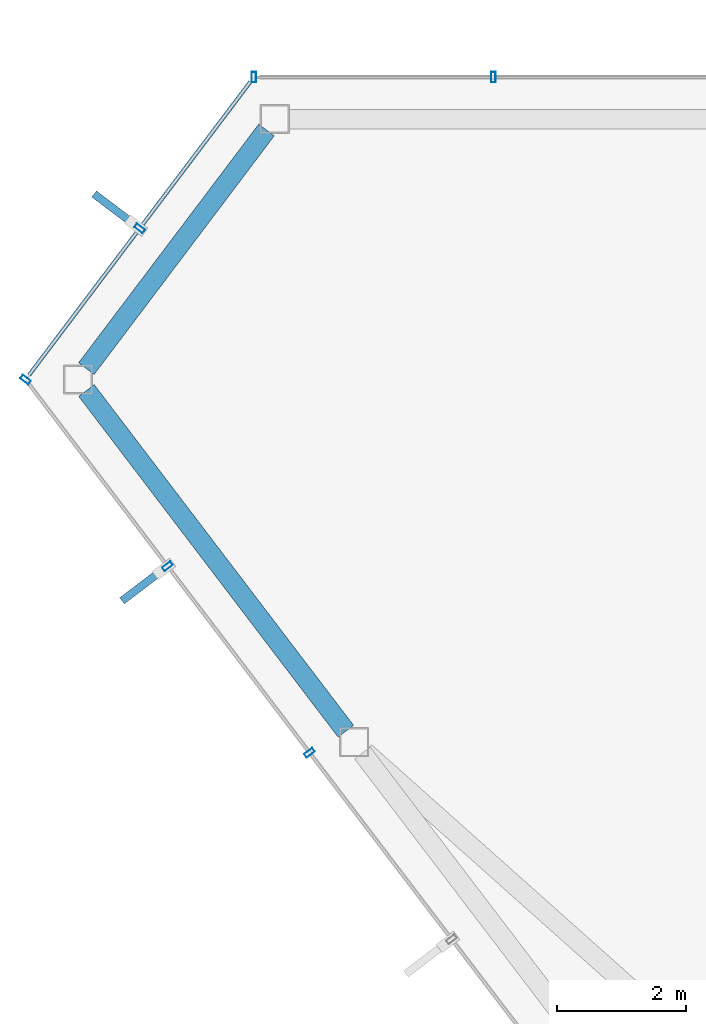
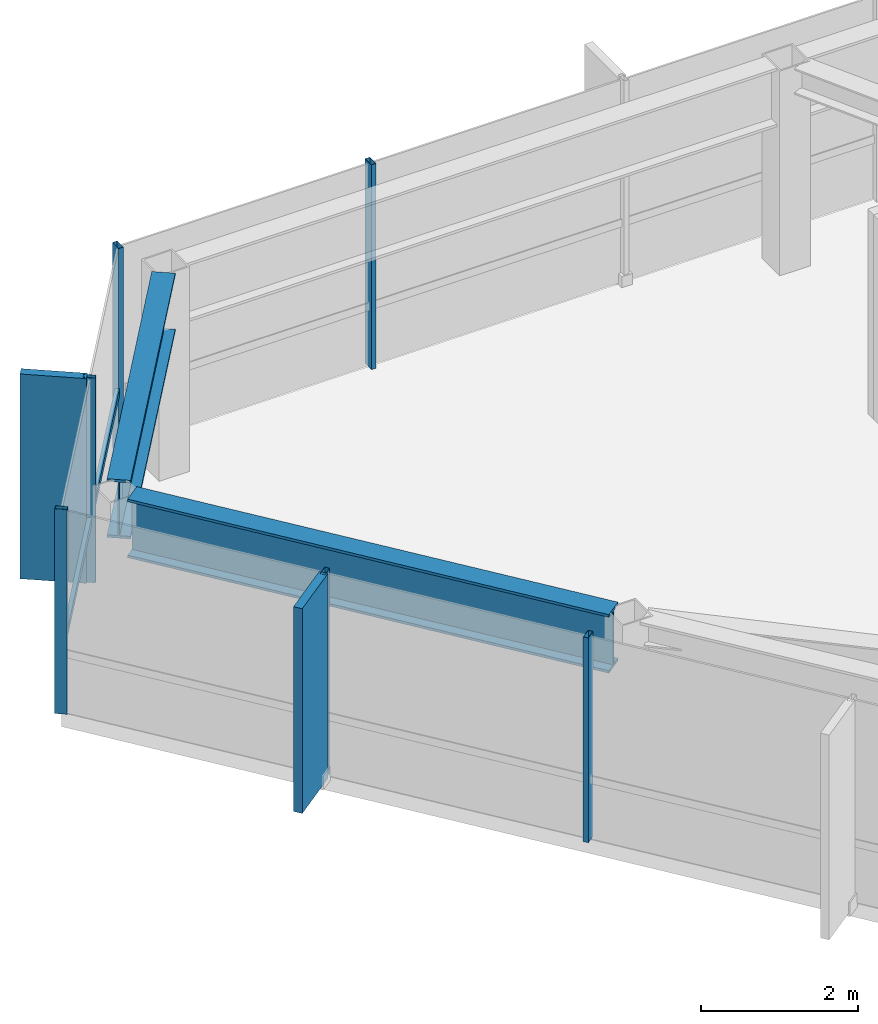
# One storey, part 10 of 23: 9 members, 2 beams, 3 elements without a shape of their own.
"""IFC4 building model written with IfcOpenShell, lengths in metres."""

import ifcopenshell
import ifcopenshell.guid

model = None  # the IFC model being written
_history = None  # IfcOwnerHistory: only IFC2X3 demands one
_inside = {}  # id of a spatial element -> (the spatial element, [elements in it])
_under = {}  # id of a project, library or spatial element -> (it, [spatial elements below it])
_declared = {}  # id of a project -> (the project, [libraries it declares])
_typed = {}  # id of a type object -> (the type object, [elements of that type])
_made_of = {}  # id of a material, layer set ... -> (it, [elements and type objects made of it])


def new_model(schema):
    """Start an empty IFC model of exactly this schema.

    Asked for "IFC4X3", IfcOpenShell would pick the latest addendum, in which some entities
    have other attributes; the version numbers below select the first issue.
    IFC2X3 requires an IfcOwnerHistory on every rooted entity: one is made here for all.
    """
    global model, _history
    if schema == "IFC4X3":
        model = ifcopenshell.file(schema_version=(4, 3, 0, 0))
    else:
        model = ifcopenshell.file(schema=schema)
    _inside.clear()
    _under.clear()
    _declared.clear()
    _typed.clear()
    _made_of.clear()
    _history = None
    if model.schema == "IFC2X3":
        org = make("IfcOrganization", Name="unknown")
        user = make(
            "IfcPersonAndOrganization",
            ThePerson=make("IfcPerson", FamilyName="unknown"),
            TheOrganization=org,
        )
        app = make(
            "IfcApplication",
            ApplicationDeveloper=org,
            Version="unknown",
            ApplicationFullName="unknown",
            ApplicationIdentifier="unknown",
        )
        _history = make(
            "IfcOwnerHistory",
            OwningUser=user,
            OwningApplication=app,
            ChangeAction="ADDED",
            CreationDate=0,
        )
    return model


def make(cls, **values):
    """One entity of the class cls with the attributes given. An attribute that is None is left unset."""
    return model.create_entity(
        cls, **{name: value for name, value in values.items() if value is not None}
    )


def rooted(cls, **values):
    """An entity with a GlobalId (a new one), such as an element, a storey or a relation."""
    return make(cls, GlobalId=ifcopenshell.guid.new(), OwnerHistory=_history, **values)


def si_unit(unit_type, name, prefix=None):
    """IfcSIUnit, for example si_unit("LENGTHUNIT", "METRE", prefix="MILLI")."""
    return make("IfcSIUnit", UnitType=unit_type, Prefix=prefix, Name=name)


def assignment(units):
    """IfcUnitAssignment: the units of a project."""
    return None if units is None else make("IfcUnitAssignment", Units=units)


def point(xyz):
    """IfcCartesianPoint."""
    return None if xyz is None else make("IfcCartesianPoint", Coordinates=xyz)


def direction(xyz):
    """IfcDirection."""
    return None if xyz is None else make("IfcDirection", DirectionRatios=xyz)


def frame(location, z_axis=None, x_axis=None):
    """IfcAxis2Placement3D, a coordinate frame: its origin and axes. An axis left out is left unset."""
    return make(
        "IfcAxis2Placement3D",
        Location=point(location),
        Axis=direction(z_axis),
        RefDirection=direction(x_axis),
    )


def frame_2d(location, x_axis=None):
    """IfcAxis2Placement2D, a coordinate frame in the plane: its origin and x axis."""
    return make(
        "IfcAxis2Placement2D", Location=point(location), RefDirection=direction(x_axis)
    )


def origin():
    """The frame at (0, 0, 0) with its axes left unset."""
    return frame((0.0, 0.0, 0.0))


def origin_2d():
    """The frame at (0, 0) in the plane with its x axis left unset."""
    return frame_2d((0.0, 0.0))


def place(relative_to, where):
    """IfcLocalPlacement: puts the frame where relative to a parent placement (None: the world)."""
    return make(
        "IfcLocalPlacement", PlacementRelTo=relative_to, RelativePlacement=where
    )


def context(
    kind, dimensions, precision=None, world=None, true_north=None, identifier=None
):
    """IfcGeometricRepresentationContext, for example the 3D "Model" context."""
    return make(
        "IfcGeometricRepresentationContext",
        ContextIdentifier=identifier,
        ContextType=kind,
        CoordinateSpaceDimension=dimensions,
        Precision=precision,
        WorldCoordinateSystem=world,
        TrueNorth=true_north,
    )


def subcontext(parent, identifier, kind, view, scale=None):
    """IfcGeometricRepresentationSubContext, for example "Body" below "Model"."""
    return make(
        "IfcGeometricRepresentationSubContext",
        ContextIdentifier=identifier,
        ContextType=kind,
        ParentContext=parent,
        TargetScale=scale,
        TargetView=view,
    )


def project(units=None, contexts=None):
    """IfcProject with its units and contexts."""
    return rooted(
        "IfcProject",
        Name="project",
        RepresentationContexts=contexts,
        UnitsInContext=assignment(units),
    )


def spatial(cls, under=None, at=None, **own):
    """A site, building, storey or space (cls), placed at a placement, below another one or the project."""
    s = rooted(cls, ObjectPlacement=at, **own)
    if under is not None:
        _under.setdefault(under.id(), (under, []))[1].append(s)
    return s


def profile(cls, at=None, kind="AREA", **sizes):
    """A parametric profile (cls). Its sizes go by their IFC names, for example OverallWidth=200.0."""
    return make(cls, ProfileType=kind, Position=at, **sizes)


def rectangle(**sizes):
    """IfcRectangleProfileDef."""
    return profile("IfcRectangleProfileDef", **sizes)


def hollow_rectangle(**sizes):
    """IfcRectangleHollowProfileDef."""
    return profile("IfcRectangleHollowProfileDef", **sizes)


def i_section(**sizes):
    """IfcIShapeProfileDef."""
    return profile("IfcIShapeProfileDef", **sizes)


def extrude(swept, where, along, depth):
    """IfcExtrudedAreaSolid: the profile swept, set in the frame where, extruded along a direction by depth."""
    return make(
        "IfcExtrudedAreaSolid",
        SweptArea=swept,
        Position=where,
        ExtrudedDirection=direction(along),
        Depth=depth,
    )


def shape(context_of_items, identifier, shape_type, items):
    """IfcShapeRepresentation: the items that make up one representation, for example the "Body"."""
    return make(
        "IfcShapeRepresentation",
        ContextOfItems=context_of_items,
        RepresentationIdentifier=identifier,
        RepresentationType=shape_type,
        Items=items,
    )


def material(Name=None, Category=None):
    """IfcMaterial."""
    return make("IfcMaterial", Name=Name, Category=Category)


def layer(
    of_material, thickness, ventilated=None, Name=None, Category=None, Priority=None
):
    """IfcMaterialLayer: one layer of a wall or slab, of a material (None: an air gap)."""
    return make(
        "IfcMaterialLayer",
        Material=of_material,
        LayerThickness=thickness,
        IsVentilated=ventilated,
        Name=Name,
        Category=Category,
        Priority=Priority,
    )


def layer_set(layers, Name=None):
    """IfcMaterialLayerSet."""
    return make("IfcMaterialLayerSet", MaterialLayers=layers, LayerSetName=Name)


def material_profile(
    of_material, cross_section, Name=None, Category=None, Priority=None
):
    """IfcMaterialProfile: a cross section and its material."""
    return make(
        "IfcMaterialProfile",
        Name=Name,
        Material=of_material,
        Profile=cross_section,
        Priority=Priority,
        Category=Category,
    )


def profile_set(profiles, Name=None, composite=None):
    """IfcMaterialProfileSet."""
    return make(
        "IfcMaterialProfileSet",
        Name=Name,
        MaterialProfiles=profiles,
        CompositeProfile=composite,
    )


def made_of(thing, what):
    """Note that an element or type object is made of a material, layer set ...; save() writes the relation."""
    if what is not None:
        _made_of.setdefault(what.id(), (what, []))[1].append(thing)
    return thing


def type_object(cls, material=None, **own):
    """A type object (cls), such as IfcWallType, which elements share."""
    return made_of(rooted(cls, **own), material)


def element(
    cls,
    number,
    at=None,
    inside=None,
    cuts=None,
    type_object=None,
    material=None,
    context=None,
    identifier="Body",
    shape_type=None,
    held_by="IfcProductDefinitionShape",
    body=None,
    shapes=None,
    **own,
):
    """One element of the class cls, such as IfcWall. Its Tag is "e" and its number.

    at: its placement. inside: the storey or other place that contains it. cuts: it is an
    opening in that element (IfcRelVoidsElement). A single representation is given by context,
    identifier, shape_type and body (its items); several are given by shapes. held_by: the class
    of the entity that holds the representations. save() writes the other relations.
    """
    e = rooted(cls, Tag="e%d" % number, ObjectPlacement=at, **own)
    if body is not None:
        shapes = [shape(context, identifier, shape_type, body)]
    if shapes is not None:
        e.Representation = make(held_by, Representations=shapes)
    if inside is not None:
        _inside.setdefault(inside.id(), (inside, []))[1].append(e)
    if cuts is not None:
        rooted(
            "IfcRelVoidsElement", RelatingBuildingElement=cuts, RelatedOpeningElement=e
        )
    if type_object is not None:
        _typed.setdefault(type_object.id(), (type_object, []))[1].append(e)
    return made_of(e, material)


def aggregate(whole, parts):
    """IfcRelAggregates: a whole, such as a stair, and the parts it consists of."""
    return rooted("IfcRelAggregates", RelatingObject=whole, RelatedObjects=parts)


def save(model, path):
    """Write the relations noted so far, then the file.

    IfcRelAggregates (storeys below a building ...), IfcRelContainedInSpatialStructure (elements
    in a storey), IfcRelDefinesByType, IfcRelAssociatesMaterial and IfcRelDeclares: one each for
    every whole, place, type object, material and project.
    """
    for whole, parts in _under.values():
        aggregate(whole, parts)
    for where, things in _inside.values():
        rooted(
            "IfcRelContainedInSpatialStructure",
            RelatedElements=things,
            RelatingStructure=where,
        )
    for kind, things in _typed.values():
        rooted("IfcRelDefinesByType", RelatedObjects=things, RelatingType=kind)
    for what, things in _made_of.values():
        rooted("IfcRelAssociatesMaterial", RelatedObjects=things, RelatingMaterial=what)
    for by, libraries in _declared.values():
        rooted("IfcRelDeclares", RelatingContext=by, RelatedDefinitions=libraries)
    model.write(path)


model = new_model("IFC4")

# Units and contexts
model_context = context("Model", 3, precision=1e-05, world=origin(), true_north=direction((0.0, 1.0)))
body_context = subcontext(model_context, "Body", "Model", "MODEL_VIEW")
ifc_project = project(units=[si_unit("LENGTHUNIT", "METRE"), si_unit("AREAUNIT", "SQUARE_METRE"), si_unit("VOLUMEUNIT", "CUBIC_METRE"), si_unit("PLANEANGLEUNIT", "RADIAN"), si_unit("MASSUNIT", "GRAM", prefix="KILO")], contexts=[model_context])

# Site, building, storey
site_placement = place(None, origin())
site = spatial("IfcSite", under=ifc_project, at=site_placement, CompositionType="ELEMENT")
building_placement = place(site_placement, origin())
building = spatial("IfcBuilding", under=site, at=building_placement, Name="Zarrinselat Tower", CompositionType="ELEMENT")
storey_placement = place(building_placement, frame((0.0, 0.0, 282.199951171875)))
storey = spatial("IfcBuildingStorey", under=building, at=storey_placement, Name="L72", CompositionType="ELEMENT", Elevation=282.199951171875)

# Beams
ifc_material_1 = material(Name="Steel S460M", Category="steel")
ifc_material_profile_1 = material_profile(ifc_material_1, i_section(OverallWidth=0.302001953125, OverallDepth=0.909912109375, WebThickness=0.02099609375, FlangeThickness=0.0400390625, at=origin_2d()), Name="HEM 900")
ifc_profile_set_1 = profile_set([ifc_material_profile_1], Name="Steel S460M")
beam_type = type_object("IfcBeamType", Name="BM-HEM900", PredefinedType="BEAM", material=ifc_profile_set_1)
beam_1_placement = place(storey_placement, frame((17.24755859375, 43.11572265625, 2.72509765625), z_axis=(0.602467720264, 0.798143249073, 0.0), x_axis=(-0.798143249073, 0.602467720264, 0.0)))
element("IfcBeam", 1, at=beam_1_placement, inside=storey, type_object=beam_type, Name="L72 Perimeter Spandrel Girder SP05", PredefinedType="BEAM", context=body_context, shape_type="SweptSolid", body=[
    extrude(i_section(OverallWidth=0.302001953125, OverallDepth=0.909912109375, WebThickness=0.02099609375, FlangeThickness=0.0400390625, at=origin_2d()), origin(), (0.0, 0.0, 1.0), 4.632568359375),
])
beam_2_placement = place(storey_placement, frame((17.248291015625, 42.776123046875, 2.72509765625), z_axis=(0.605793795284, -0.795621692512, 0.0), x_axis=(0.795621692512, 0.605793795284, 0.0)))
element("IfcBeam", 2, at=beam_2_placement, inside=storey, type_object=beam_type, Name="L72 Perimeter Spandrel Girder SP06", PredefinedType="BEAM", context=body_context, shape_type="SweptSolid", body=[
    extrude(i_section(OverallWidth=0.302001953125, OverallDepth=0.909912109375, WebThickness=0.02099609375, FlangeThickness=0.0400390625, at=origin_2d()), origin(), (0.0, 0.0, 1.0), 6.636474609375),
])

# Curtain wall, members
ifc_material_2 = material(Name="Extruded Aluminium Alloy EN AW-6063 T6", Category="aluminium")
ifc_layer = layer(ifc_material_2, 0.169921875)
ifc_layer_set = layer_set([ifc_layer], Name="Extruded Aluminium Alloy EN AW-6063 T6")
curtain_wall_type = type_object("IfcCurtainWallType", Name="CWS-RES", PredefinedType="NOTDEFINED", material=ifc_layer_set)
curtain_wall_1_placement = place(storey_placement, origin())
curtain_wall_1 = element("IfcCurtainWall", 3, at=curtain_wall_1_placement, inside=storey, type_object=curtain_wall_type, Name="L72 Unitised Curtain Wall CW-L72-E01", PredefinedType="NOTDEFINED")
ifc_material_3 = material(Name="Extruded Aluminium Alloy EN AW-6063 T6", Category="aluminium")
ifc_material_profile_2 = material_profile(ifc_material_3, hollow_rectangle(XDim=0.070068359375, YDim=0.159912109375, WallThickness=0.00390625, at=origin_2d()), Name="RHS 160x70x4")
ifc_profile_set_2 = profile_set([ifc_material_profile_2], Name="Extruded Aluminium Alloy EN AW-6063 T6")
member_type_1 = type_object("IfcMemberType", Name="MEM-CW-MUL2", PredefinedType="MULLION", material=ifc_profile_set_2)
member_1_placement = place(storey_placement, frame((23.55419921875, 47.63330078125, 0.0), z_axis=(0.0, 0.0, 1.0), x_axis=(-1.0, 0.0, 0.0)))
member_1 = element("IfcMember", 4, at=member_1_placement, type_object=member_type_1, Name="CW-L72-E01 Mullion 12", PredefinedType="MULLION", context=body_context, shape_type="SweptSolid", body=[
    extrude(hollow_rectangle(XDim=0.070068359375, YDim=0.159912109375, WallThickness=0.00390625, at=origin_2d()), origin(), (0.0, 0.0, 1.0), 3.179931640625),
])
member_2_placement = place(storey_placement, frame((19.843017578125, 47.63330078125, 0.0), z_axis=(0.0, 0.0, 1.0), x_axis=(-1.0, 0.0, 0.0)))
member_2 = element("IfcMember", 5, at=member_2_placement, type_object=member_type_1, Name="CW-L72-E01 Mullion 13", PredefinedType="MULLION", context=body_context, shape_type="SweptSolid", body=[
    extrude(hollow_rectangle(XDim=0.070068359375, YDim=0.159912109375, WallThickness=0.00390625, at=origin_2d()), origin(), (0.0, 0.0, 1.0), 3.179931640625),
])
aggregate(curtain_wall_1, [member_1, member_2])

curtain_wall_2_placement = place(storey_placement, origin())
curtain_wall_2 = element("IfcCurtainWall", 6, at=curtain_wall_2_placement, inside=storey, type_object=curtain_wall_type, Name="L72 Unitised Curtain Wall CW-L72-E02", PredefinedType="NOTDEFINED")
member_3_placement = place(storey_placement, frame((18.0732421875, 45.288818359375, 0.0), z_axis=(0.0, 0.0, 1.0), x_axis=(-0.602440051683, -0.798164133577, 0.0)))
member_3 = element("IfcMember", 7, at=member_3_placement, type_object=member_type_1, Name="CW-L72-E02 Mullion 1", PredefinedType="MULLION", context=body_context, shape_type="SweptSolid", body=[
    extrude(hollow_rectangle(XDim=0.070068359375, YDim=0.159912109375, WallThickness=0.00390625, at=origin_2d()), origin(), (0.0, 0.0, 1.0), 3.179931640625),
])
member_4_placement = place(storey_placement, frame((16.3037109375, 42.944091796875, 0.0), z_axis=(0.0, 0.0, 1.0), x_axis=(-0.602440051683, -0.798164133577, 0.0)))
member_4 = element("IfcMember", 8, at=member_4_placement, type_object=member_type_1, Name="CW-L72-E02 Mullion 2", PredefinedType="MULLION", context=body_context, shape_type="SweptSolid", body=[
    extrude(hollow_rectangle(XDim=0.070068359375, YDim=0.159912109375, WallThickness=0.00390625, at=origin_2d()), origin(), (0.0, 0.0, 1.0), 3.179931640625),
])

curtain_wall_3_placement = place(storey_placement, origin())
curtain_wall_3 = element("IfcCurtainWall", 9, at=curtain_wall_3_placement, inside=storey, type_object=curtain_wall_type, Name="L72 Unitised Curtain Wall CW-L72-E03", PredefinedType="NOTDEFINED")
member_5_placement = place(storey_placement, frame((18.50439453125, 40.053466796875, 0.0), z_axis=(0.0, 0.0, 1.0), x_axis=(0.60576733126, -0.795641841772, 0.0)))
member_5 = element("IfcMember", 10, at=member_5_placement, type_object=member_type_1, Name="CW-L72-E03 Mullion 1", PredefinedType="MULLION", context=body_context, shape_type="SweptSolid", body=[
    extrude(hollow_rectangle(XDim=0.070068359375, YDim=0.159912109375, WallThickness=0.00390625, at=origin_2d()), origin(), (0.0, 0.0, 1.0), 3.179931640625),
])
member_6_placement = place(storey_placement, frame((20.705078125, 37.162841796875, 0.0), z_axis=(0.0, 0.0, 1.0), x_axis=(0.60576733126, -0.795641841772, 0.0)))
member_6 = element("IfcMember", 11, at=member_6_placement, type_object=member_type_1, Name="CW-L72-E03 Mullion 2", PredefinedType="MULLION", context=body_context, shape_type="SweptSolid", body=[
    extrude(hollow_rectangle(XDim=0.070068359375, YDim=0.159912109375, WallThickness=0.00390625, at=origin_2d()), origin(), (0.0, 0.0, 1.0), 3.179931640625),
])

# Member
ifc_material_4 = material(Name="Extruded Aluminium Alloy EN AW-6063 T6", Category="aluminium")
ifc_material_profile_3 = material_profile(ifc_material_4, hollow_rectangle(XDim=0.06005859375, YDim=0.1201171875, WallThickness=0.00390625, at=origin_2d()), Name="RHS 120x60x4")
ifc_profile_set_3 = profile_set([ifc_material_profile_3], Name="Extruded Aluminium Alloy EN AW-6063 T6")
member_type_2 = type_object("IfcMemberType", Name="MEM-CW-TRN2", PredefinedType="USERDEFINED", material=ifc_profile_set_3)
member_7_placement = place(storey_placement, frame((19.788818359375, 47.5615234375, 0.949951171875), z_axis=(-0.602432156167, -0.79817009291, 0.0), x_axis=(0.79817009291, -0.602432156167, 0.0)))
member_7 = element("IfcMember", 12, at=member_7_placement, type_object=member_type_2, Name="CW-L72-E02 Transom 1", ObjectType="TRANSOM", PredefinedType="USERDEFINED", context=body_context, shape_type="SweptSolid", body=[
    extrude(hollow_rectangle(XDim=0.06005859375, YDim=0.1201171875, WallThickness=0.00390625, at=origin_2d()), origin(), (0.0, 0.0, 1.0), 5.695068359375),
])

ifc_material_5 = material(Name="Honed Cream Travertine Stone", Category="masonry")
ifc_material_profile_4 = material_profile(ifc_material_5, rectangle(XDim=0.1201171875, YDim=0.85009765625, at=origin_2d()), Name="FIN 850x120")
ifc_profile_set_4 = profile_set([ifc_material_profile_4], Name="Honed Cream Travertine Stone")
member_type_3 = type_object("IfcMemberType", Name="MEM-STONE-FIN", PredefinedType="USERDEFINED", material=ifc_profile_set_4)
member_8_placement = place(storey_placement, frame((17.7060546875, 45.56591796875, 0.0), z_axis=(0.0, 0.0, 1.0), x_axis=(0.602440051683, 0.798164133577, 0.0)))
member_8 = element("IfcMember", 13, at=member_8_placement, type_object=member_type_3, Name="L72 Stone Shading Fin CW-L72-E02-01", ObjectType="FIN", PredefinedType="USERDEFINED", context=body_context, shape_type="SweptSolid", body=[
    extrude(rectangle(XDim=0.1201171875, YDim=0.85009765625, at=origin_2d()), origin(), (0.0, 0.0, 1.0), 3.179931640625),
])

aggregate(curtain_wall_2, [member_3, member_8, member_4, member_7])

member_9_placement = place(storey_placement, frame((18.138427734375, 39.774658203125, 0.0), z_axis=(0.0, 0.0, 1.0), x_axis=(-0.60576733126, 0.795641841772, 0.0)))
member_9 = element("IfcMember", 14, at=member_9_placement, type_object=member_type_3, Name="L72 Stone Shading Fin CW-L72-E03-01", ObjectType="FIN", PredefinedType="USERDEFINED", context=body_context, shape_type="SweptSolid", body=[
    extrude(rectangle(XDim=0.1201171875, YDim=0.85009765625, at=origin_2d()), origin(), (0.0, 0.0, 1.0), 3.179931640625),
])

aggregate(curtain_wall_3, [member_5, member_9, member_6])

save(model, "model.ifc")
